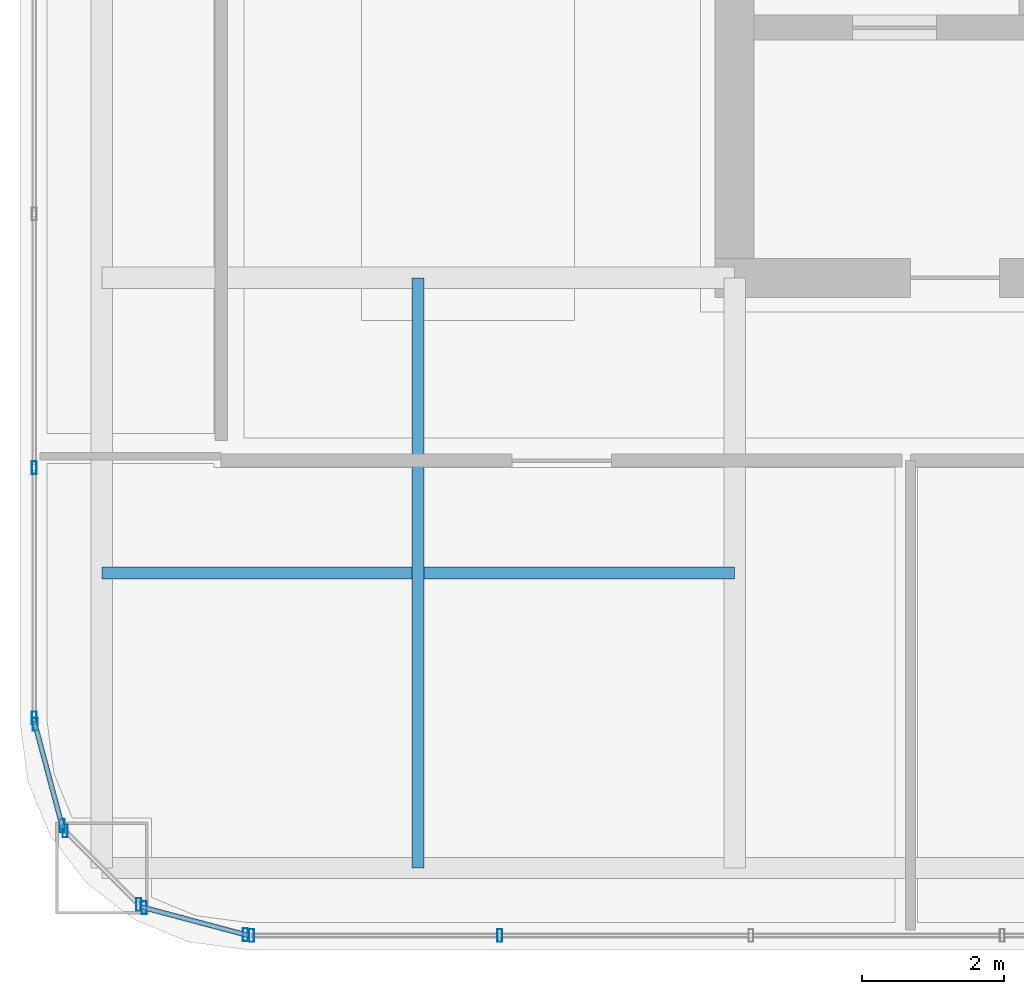
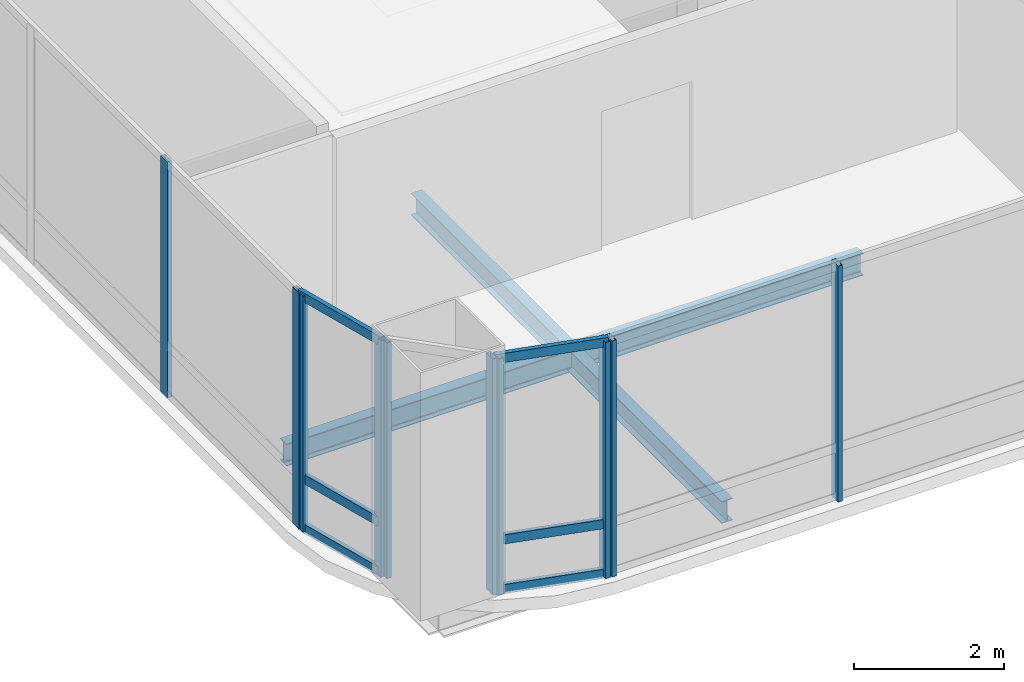
# One storey, part 2 of 42: 16 members, 2 beams, 5 elements without a shape of their own.
"""IFC4 building model written with IfcOpenShell, lengths in metres."""

from ifc_helpers import new_model, si_unit, direction, frame, origin, origin_2d, place, context, subcontext, project, spatial, hollow_rectangle, i_section, extrude, material, material_profile, profile_set, type_object, element, aggregate, save


model = new_model("IFC4")

# Units and contexts
model_context = context("Model", 3, precision=1e-05, world=origin(), true_north=direction((0.0, 1.0)))
body_context = subcontext(model_context, "Body", "Model", "MODEL_VIEW")
ifc_project = project(units=[si_unit("LENGTHUNIT", "METRE"), si_unit("AREAUNIT", "SQUARE_METRE"), si_unit("VOLUMEUNIT", "CUBIC_METRE"), si_unit("PLANEANGLEUNIT", "RADIAN"), si_unit("MASSUNIT", "GRAM", prefix="KILO")], contexts=[model_context])

# Site, building, storey
site_placement = place(None, origin())
site = spatial("IfcSite", under=ifc_project, at=site_placement, CompositionType="ELEMENT")
building_placement = place(site_placement, origin())
building = spatial("IfcBuilding", under=site, at=building_placement, Name="Punatoya Terracotta Tower", CompositionType="ELEMENT")
storey_placement = place(building_placement, frame((0.0, 0.0, 263.550048828125)))
storey = spatial("IfcBuildingStorey", under=building, at=storey_placement, Name="L62", CompositionType="ELEMENT", Elevation=263.550048828125)

# Beams
ifc_material_1 = material(Name="Steel S355", Category="steel")
ifc_material_profile_1 = material_profile(ifc_material_1, i_section(OverallWidth=0.169921875, OverallDepth=0.360107421875, WebThickness=0.008056640625, FlangeThickness=0.0126953125, FilletRadius=0.01806640625, at=origin_2d()))
ifc_profile_set_1 = profile_set([ifc_material_profile_1], Name="Steel S355")
beam_type = type_object("IfcBeamType", Name="BM-SEC-360", PredefinedType="JOIST", material=ifc_profile_set_1)
beam_1_placement = place(storey_placement, frame((-19.10009765625, -13.35009765625, -0.380126953125), z_axis=(1.0, 0.0, 0.0), x_axis=(0.0, 1.0, 0.0)))
element("IfcBeam", 1, at=beam_1_placement, inside=storey, type_object=beam_type, Name="BM-L62-SJS-1", PredefinedType="JOIST", context=body_context, shape_type="SweptSolid", body=[
    extrude(i_section(OverallWidth=0.169921875, OverallDepth=0.360107421875, WebThickness=0.008056640625, FlangeThickness=0.0126953125, FilletRadius=0.01806640625, at=origin_2d()), origin(), (0.0, 0.0, 1.0), 8.900146484375),
])
beam_2_placement = place(storey_placement, frame((-14.64990234375, -17.5, -0.380126953125), z_axis=(0.0, 1.0, 0.0), x_axis=(-1.0, 0.0, 0.0)))
element("IfcBeam", 2, at=beam_2_placement, inside=storey, type_object=beam_type, Name="BM-L62-SJW-1", PredefinedType="JOIST", context=body_context, shape_type="SweptSolid", body=[
    extrude(i_section(OverallWidth=0.169921875, OverallDepth=0.360107421875, WebThickness=0.008056640625, FlangeThickness=0.0126953125, FilletRadius=0.01806640625, at=origin_2d()), origin(), (0.0, 0.0, 1.0), 8.300048828125),
])

# Curtain wall, members
ifc_material_2 = material(Name="Aluminium 6063-T6 + Double Low-E Glass", Category="aluminium")
curtain_wall_type = type_object("IfcCurtainWallType", Name="CW-M3", PredefinedType="NOTDEFINED", material=ifc_material_2)
curtain_wall_1_placement = place(storey_placement, origin())
curtain_wall_1 = element("IfcCurtainWall", 3, at=curtain_wall_1_placement, inside=storey, type_object=curtain_wall_type, Name="L62 Curtain Wall CW-L62-S01-1", PredefinedType="NOTDEFINED")
ifc_material_3 = material(Name="Aluminium 6063-T6", Category="aluminium")
ifc_material_profile_2 = material_profile(ifc_material_3, hollow_rectangle(XDim=0.070068359375, YDim=0.179931640625, WallThickness=0.00390625, at=origin_2d()))
ifc_profile_set_2 = profile_set([ifc_material_profile_2], Name="Aluminium 6063-T6")
member_type_1 = type_object("IfcMemberType", Name="CW-MUL-M3", PredefinedType="MULLION", material=ifc_profile_set_2)
member_1_placement = place(storey_placement, frame((-16.991943359375, -18.449951171875, 0.0), z_axis=(0.0, 0.0, 1.0), x_axis=(1.0, 0.0, 0.0)))
member_1 = element("IfcMember", 4, at=member_1_placement, type_object=member_type_1, Name="CW-L62-S01-1 Mullion 00", PredefinedType="MULLION", context=body_context, shape_type="SweptSolid", body=[
    extrude(hollow_rectangle(XDim=0.070068359375, YDim=0.179931640625, WallThickness=0.00390625, at=origin_2d()), origin(), (0.0, 0.0, 1.0), 3.849853515625),
])
member_2_placement = place(storey_placement, frame((-13.5029296875, -18.449951171875, 0.0), z_axis=(0.0, 0.0, 1.0), x_axis=(1.0, 0.0, 0.0)))
member_2 = element("IfcMember", 5, at=member_2_placement, type_object=member_type_1, Name="CW-L62-S01-1 Mullion 01", PredefinedType="MULLION", context=body_context, shape_type="SweptSolid", body=[
    extrude(hollow_rectangle(XDim=0.070068359375, YDim=0.179931640625, WallThickness=0.00390625, at=origin_2d()), origin(), (0.0, 0.0, 1.0), 3.849853515625),
])
aggregate(curtain_wall_1, [member_1, member_2])

curtain_wall_2_placement = place(storey_placement, origin())
curtain_wall_2 = element("IfcCurtainWall", 6, at=curtain_wall_2_placement, inside=storey, type_object=curtain_wall_type, Name="L62 Curtain Wall CW-L62-W13-1", PredefinedType="NOTDEFINED")
member_3_placement = place(storey_placement, frame((-20.050048828125, -11.869384765625, 0.0), z_axis=(0.0, 0.0, 1.0), x_axis=(1.0, 0.0, 0.0)))
member_3 = element("IfcMember", 7, at=member_3_placement, type_object=member_type_1, Name="CW-L62-W13-1 Mullion 09", PredefinedType="MULLION", context=body_context, shape_type="SweptSolid", body=[
    extrude(hollow_rectangle(XDim=0.070068359375, YDim=0.179931640625, WallThickness=0.00390625, at=origin_2d()), origin(), (0.0, 0.0, 1.0), 3.849853515625),
])
member_4_placement = place(storey_placement, frame((-20.050048828125, -15.391845703125, 0.0), z_axis=(0.0, 0.0, 1.0), x_axis=(1.0, 0.0, 0.0)))
member_4 = element("IfcMember", 8, at=member_4_placement, type_object=member_type_1, Name="CW-L62-W13-1 Mullion 10", PredefinedType="MULLION", context=body_context, shape_type="SweptSolid", body=[
    extrude(hollow_rectangle(XDim=0.070068359375, YDim=0.179931640625, WallThickness=0.00390625, at=origin_2d()), origin(), (0.0, 0.0, 1.0), 3.849853515625),
])
aggregate(curtain_wall_2, [member_3, member_4])

curtain_wall_3_placement = place(storey_placement, origin())
curtain_wall_3 = element("IfcCurtainWall", 9, at=curtain_wall_3_placement, inside=storey, type_object=curtain_wall_type, Name="L62 Curtain Wall CW-L62-CRN14", PredefinedType="NOTDEFINED")
member_5_placement = place(storey_placement, frame((-20.038330078125, -15.48046875, 0.0), z_axis=(0.0, 0.0, 1.0), x_axis=(1.0, 0.0, 0.0)))
member_5 = element("IfcMember", 10, at=member_5_placement, type_object=member_type_1, Name="CW-L62-CRN14 Mullion 00", PredefinedType="MULLION", context=body_context, shape_type="SweptSolid", body=[
    extrude(hollow_rectangle(XDim=0.070068359375, YDim=0.179931640625, WallThickness=0.00390625, at=origin_2d()), origin(), (0.0, 0.0, 1.0), 3.849853515625),
])
member_6_placement = place(storey_placement, frame((-19.658203125, -16.905517578125, 0.0), z_axis=(0.0, 0.0, 1.0), x_axis=(1.0, 0.0, 0.0)))
member_6 = element("IfcMember", 11, at=member_6_placement, type_object=member_type_1, Name="CW-L62-CRN14 Mullion 01", PredefinedType="MULLION", context=body_context, shape_type="SweptSolid", body=[
    extrude(hollow_rectangle(XDim=0.070068359375, YDim=0.179931640625, WallThickness=0.00390625, at=origin_2d()), origin(), (0.0, 0.0, 1.0), 3.849853515625),
])

curtain_wall_4_placement = place(storey_placement, origin())
curtain_wall_4 = element("IfcCurtainWall", 12, at=curtain_wall_4_placement, inside=storey, type_object=curtain_wall_type, Name="L62 Curtain Wall CW-L62-CRN15", PredefinedType="NOTDEFINED")
member_7_placement = place(storey_placement, frame((-19.61474609375, -16.98095703125, 0.0), z_axis=(0.0, 0.0, 1.0), x_axis=(1.0, 0.0, 0.0)))
member_7 = element("IfcMember", 13, at=member_7_placement, type_object=member_type_1, Name="CW-L62-CRN15 Mullion 00", PredefinedType="MULLION", context=body_context, shape_type="SweptSolid", body=[
    extrude(hollow_rectangle(XDim=0.070068359375, YDim=0.179931640625, WallThickness=0.00390625, at=origin_2d()), origin(), (0.0, 0.0, 1.0), 3.849853515625),
])
member_8_placement = place(storey_placement, frame((-18.580810546875, -18.014892578125, 0.0), z_axis=(0.0, 0.0, 1.0), x_axis=(1.0, 0.0, 0.0)))
member_8 = element("IfcMember", 14, at=member_8_placement, type_object=member_type_1, Name="CW-L62-CRN15 Mullion 01", PredefinedType="MULLION", context=body_context, shape_type="SweptSolid", body=[
    extrude(hollow_rectangle(XDim=0.070068359375, YDim=0.179931640625, WallThickness=0.00390625, at=origin_2d()), origin(), (0.0, 0.0, 1.0), 3.849853515625),
])
aggregate(curtain_wall_4, [member_7, member_8])

curtain_wall_5_placement = place(storey_placement, origin())
curtain_wall_5 = element("IfcCurtainWall", 15, at=curtain_wall_5_placement, inside=storey, type_object=curtain_wall_type, Name="L62 Curtain Wall CW-L62-CRN16", PredefinedType="NOTDEFINED")
member_9_placement = place(storey_placement, frame((-18.505615234375, -18.05810546875, 0.0), z_axis=(0.0, 0.0, 1.0), x_axis=(1.0, 0.0, 0.0)))
member_9 = element("IfcMember", 16, at=member_9_placement, type_object=member_type_1, Name="CW-L62-CRN16 Mullion 00", PredefinedType="MULLION", context=body_context, shape_type="SweptSolid", body=[
    extrude(hollow_rectangle(XDim=0.070068359375, YDim=0.179931640625, WallThickness=0.00390625, at=origin_2d()), origin(), (0.0, 0.0, 1.0), 3.849853515625),
])
member_10_placement = place(storey_placement, frame((-17.080322265625, -18.4384765625, 0.0), z_axis=(0.0, 0.0, 1.0), x_axis=(1.0, 0.0, 0.0)))
member_10 = element("IfcMember", 17, at=member_10_placement, type_object=member_type_1, Name="CW-L62-CRN16 Mullion 01", PredefinedType="MULLION", context=body_context, shape_type="SweptSolid", body=[
    extrude(hollow_rectangle(XDim=0.070068359375, YDim=0.179931640625, WallThickness=0.00390625, at=origin_2d()), origin(), (0.0, 0.0, 1.0), 3.849853515625),
])

# Member
ifc_material_profile_3 = material_profile(ifc_material_3, hollow_rectangle(XDim=0.068115234375, YDim=0.14990234375, WallThickness=0.00390625, at=origin_2d()))
ifc_profile_set_3 = profile_set([ifc_material_profile_3], Name="Aluminium 6063-T6")
member_type_2 = type_object("IfcMemberType", Name="CW-TRN-TYP", PredefinedType="USERDEFINED", material=ifc_profile_set_3)
member_11_placement = place(storey_placement, frame((-20.050048828125, -15.43701171875, 0.0400390625), z_axis=(0.257847112249, -0.966185730957, 0.0), x_axis=(0.966185730957, 0.257847112249, 0.0)))
member_11 = element("IfcMember", 18, at=member_11_placement, type_object=member_type_2, Name="CW-L62-CRN14 Transom 1", ObjectType="TRANSOM", PredefinedType="USERDEFINED", context=body_context, shape_type="SweptSolid", body=[
    extrude(hollow_rectangle(XDim=0.068115234375, YDim=0.14990234375, WallThickness=0.00390625, at=origin_2d()), origin(), (0.0, 0.0, 1.0), 1.565185546875),
])

member_12_placement = place(storey_placement, frame((-20.050048828125, -15.43701171875, 0.849853515625), z_axis=(0.257847112249, -0.966185730957, 0.0), x_axis=(0.966185730957, 0.257847112249, 0.0)))
member_12 = element("IfcMember", 19, at=member_12_placement, type_object=member_type_2, Name="CW-L62-CRN14 Transom 2", ObjectType="TRANSOM", PredefinedType="USERDEFINED", context=body_context, shape_type="SweptSolid", body=[
    extrude(hollow_rectangle(XDim=0.068115234375, YDim=0.14990234375, WallThickness=0.00390625, at=origin_2d()), origin(), (0.0, 0.0, 1.0), 1.565185546875),
])

member_13_placement = place(storey_placement, frame((-20.050048828125, -15.43701171875, 3.81005859375), z_axis=(0.257847112249, -0.966185730957, 0.0), x_axis=(0.966185730957, 0.257847112249, 0.0)))
member_13 = element("IfcMember", 20, at=member_13_placement, type_object=member_type_2, Name="CW-L62-CRN14 Transom 3", ObjectType="TRANSOM", PredefinedType="USERDEFINED", context=body_context, shape_type="SweptSolid", body=[
    extrude(hollow_rectangle(XDim=0.068115234375, YDim=0.14990234375, WallThickness=0.00390625, at=origin_2d()), origin(), (0.0, 0.0, 1.0), 1.565185546875),
])

aggregate(curtain_wall_3, [member_5, member_6, member_11, member_12, member_13])

member_14_placement = place(storey_placement, frame((-18.549072265625, -18.046630859375, 0.0400390625), z_axis=(0.966224582397, -0.257701486942, 0.0), x_axis=(0.257701486942, 0.966224582397, 0.0)))
member_14 = element("IfcMember", 21, at=member_14_placement, type_object=member_type_2, Name="CW-L62-CRN16 Transom 1", ObjectType="TRANSOM", PredefinedType="USERDEFINED", context=body_context, shape_type="SweptSolid", body=[
    extrude(hollow_rectangle(XDim=0.068115234375, YDim=0.14990234375, WallThickness=0.00390625, at=origin_2d()), origin(), (0.0, 0.0, 1.0), 1.565185546875),
])

member_15_placement = place(storey_placement, frame((-18.549072265625, -18.046630859375, 0.849853515625), z_axis=(0.966224582397, -0.257701486942, 0.0), x_axis=(0.257701486942, 0.966224582397, 0.0)))
member_15 = element("IfcMember", 22, at=member_15_placement, type_object=member_type_2, Name="CW-L62-CRN16 Transom 2", ObjectType="TRANSOM", PredefinedType="USERDEFINED", context=body_context, shape_type="SweptSolid", body=[
    extrude(hollow_rectangle(XDim=0.068115234375, YDim=0.14990234375, WallThickness=0.00390625, at=origin_2d()), origin(), (0.0, 0.0, 1.0), 1.565185546875),
])

member_16_placement = place(storey_placement, frame((-18.549072265625, -18.046630859375, 3.81005859375), z_axis=(0.966224582397, -0.257701486942, 0.0), x_axis=(0.257701486942, 0.966224582397, 0.0)))
member_16 = element("IfcMember", 23, at=member_16_placement, type_object=member_type_2, Name="CW-L62-CRN16 Transom 3", ObjectType="TRANSOM", PredefinedType="USERDEFINED", context=body_context, shape_type="SweptSolid", body=[
    extrude(hollow_rectangle(XDim=0.068115234375, YDim=0.14990234375, WallThickness=0.00390625, at=origin_2d()), origin(), (0.0, 0.0, 1.0), 1.565185546875),
])

aggregate(curtain_wall_5, [member_9, member_10, member_14, member_15, member_16])

save(model, "model.ifc")
